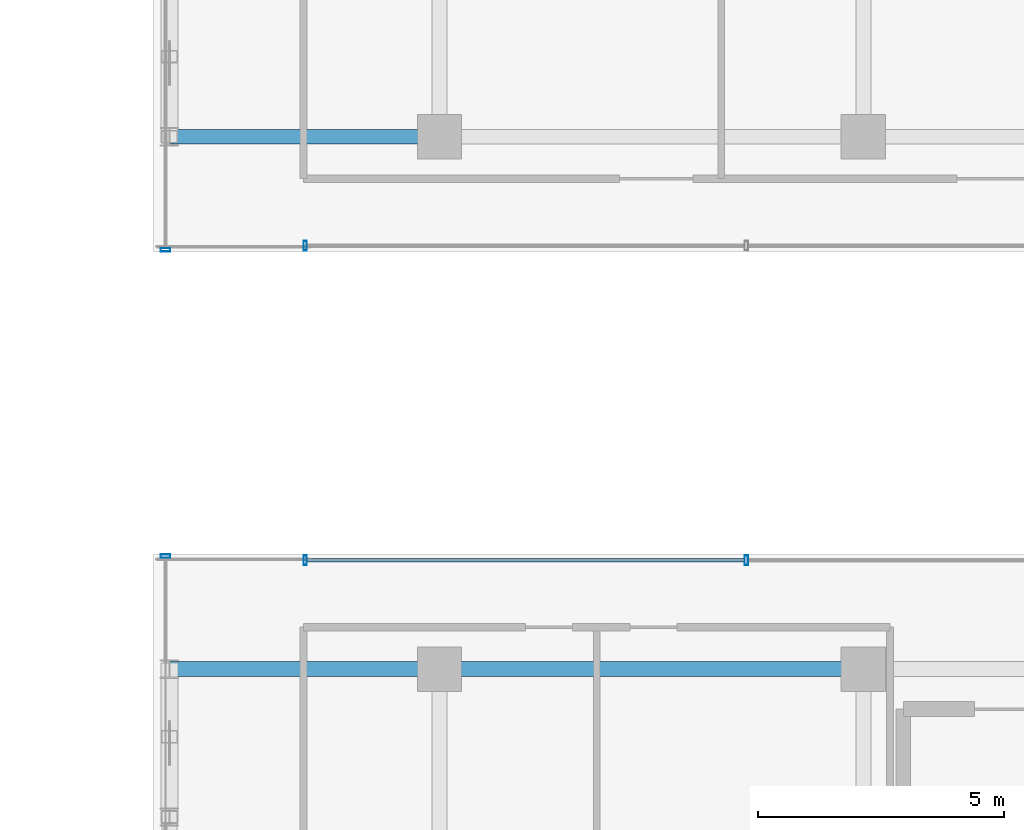
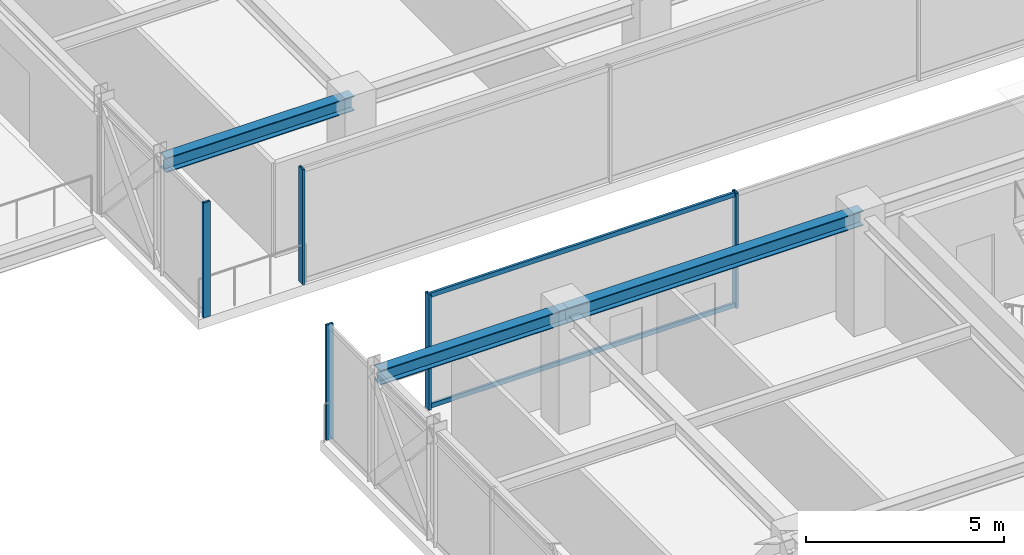
# One storey, part 10 of 40: 7 members, 3 beams, 4 elements without a shape of their own.
"""IFC4 building model written with IfcOpenShell, lengths in metres."""

from ifc_helpers import new_model, si_unit, direction, frame, origin, origin_2d, place, context, subcontext, project, spatial, hollow_rectangle, i_section, extrude, source, transform, mapped, material, material_profile, profile_set, type_object, element, aggregate, save


model = new_model("IFC4")

# Units and contexts
model_context = context("Model", 3, precision=1e-05, world=origin(), true_north=direction((0.0, 1.0)))
body_context = subcontext(model_context, "Body", "Model", "MODEL_VIEW")
ifc_project = project(units=[si_unit("LENGTHUNIT", "METRE"), si_unit("AREAUNIT", "SQUARE_METRE"), si_unit("VOLUMEUNIT", "CUBIC_METRE"), si_unit("PLANEANGLEUNIT", "RADIAN"), si_unit("MASSUNIT", "GRAM", prefix="KILO")], contexts=[model_context])

# Site, building, storey
site_placement = place(None, origin())
site = spatial("IfcSite", under=ifc_project, at=site_placement, CompositionType="ELEMENT")
building_placement = place(site_placement, origin())
building = spatial("IfcBuilding", under=site, at=building_placement, Name="Nahalor Promenade Grand Hotel", CompositionType="ELEMENT")
storey_placement = place(building_placement, frame((0.0, 0.0, 288.800048828125)))
storey = spatial("IfcBuildingStorey", under=building, at=storey_placement, Name="L74", CompositionType="ELEMENT", Elevation=288.800048828125)

# Beams
ifc_material_1 = material(Name="Steel S355JR", Category="steel")
ifc_material_profile_1 = material_profile(ifc_material_1, i_section(OverallWidth=0.3, OverallDepth=0.45, WebThickness=0.014, FlangeThickness=0.026, at=origin_2d()), Name="HEB 450")
ifc_profile_set_1 = profile_set([ifc_material_profile_1], Name="Steel S355JR")
beam_type = type_object("IfcBeamType", Name="Beam-Girder-HEB450", PredefinedType="BEAM", material=ifc_profile_set_1)
shared_shape_1 = source(origin(), body_context, "Body", "SweptSolid", [
    extrude(i_section(OverallWidth=0.3, OverallDepth=0.45, WebThickness=0.014, FlangeThickness=0.026, at=origin_2d()), origin(), (0.0, 0.0, 1.0), 8.60009765625),
])
beam_placement = place(storey_placement, frame((-17.0, -5.39990234375, 3.324951171875), z_axis=(1.0, 0.0, 0.0), x_axis=(0.0, 1.0, 0.0)))
element("IfcBeam", 1, at=beam_placement, inside=storey, type_object=beam_type, Name="BM-L74-GX-1-1", PredefinedType="BEAM", context=body_context, shape_type="MappedRepresentation", body=[
    mapped(shared_shape_1, transform((0.0, 0.0, 0.0), scale=1.0)),
])
shared_shape_2 = source(origin(), body_context, "Body", "SweptSolid", [
    extrude(i_section(OverallWidth=0.3, OverallDepth=0.45, WebThickness=0.014, FlangeThickness=0.026, at=origin_2d()), origin(), (0.0, 0.0, 1.0), 5.47998046875),
])
for number, where, z_axis, x_axis, name in (
    (2, (-22.47998046875, -5.39990234375, 3.324951171875), (1.0, 0.0, 0.0), (0.0, 1.0, 0.0), "BM-L74-GX-1-0"),
    (3, (-22.47998046875, 5.39990234375, 3.324951171875), (1.0, 0.0, 0.0), (0.0, 1.0, 0.0), "BM-L74-GX-2-0"),
):
    element("IfcBeam", number, at=place(storey_placement, frame(where, z_axis=z_axis, x_axis=x_axis)), inside=storey, type_object=beam_type, Name=name, PredefinedType="BEAM", context=body_context, shape_type="MappedRepresentation", body=[
        mapped(shared_shape_2, transform((0.0, 0.0, 0.0), scale=1.0)),
    ])

# Curtain wall, members
ifc_material_2 = material(Name="Anodised Bronze Aluminium EN AW-6063 T6", Category="aluminium")
curtain_wall_type = type_object("IfcCurtainWallType", Name="CW3 Elliptical-Void Collar Unitised Curtain Wall", PredefinedType="USERDEFINED", material=ifc_material_2)
curtain_wall_1_placement = place(storey_placement, origin())
curtain_wall_1 = element("IfcCurtainWall", 4, at=curtain_wall_1_placement, inside=storey, type_object=curtain_wall_type, Name="L74 Curtain Wall CW-L74-VOID-WS1", ObjectType="UNITISED_CURTAIN_WALL", PredefinedType="USERDEFINED")
ifc_material_profile_2 = material_profile(ifc_material_2, hollow_rectangle(XDim=0.07, YDim=0.14, WallThickness=0.004, at=origin_2d()), Name="CWT 70x140x4")
ifc_profile_set_2 = profile_set([ifc_material_profile_2], Name="Anodised Bronze Aluminium EN AW-6063 T6")
member_type_1 = type_object("IfcMemberType", Name="CWT3 Void Collar Transom 70x140", PredefinedType="USERDEFINED", material=ifc_profile_set_2)
shared_shape_3 = source(origin(), body_context, "Body", "SweptSolid", [
    extrude(hollow_rectangle(XDim=0.07, YDim=0.14, WallThickness=0.004, at=origin_2d()), origin(), (0.0, 0.0, 1.0), 8.881591796875),
])
member_1_placement = place(storey_placement, frame((-19.68994140625, -3.19091796875, 0.070068359375), z_axis=(1.0, 0.0, 0.0), x_axis=(0.0, 1.0, 0.0)))
member_1 = element("IfcMember", 5, at=member_1_placement, type_object=member_type_1, Name="CW-L74-VOID-WS1 Transom 0-0", ObjectType="TRANSOM", PredefinedType="USERDEFINED", context=body_context, shape_type="MappedRepresentation", body=[
    mapped(shared_shape_3, transform((0.0, 0.0, 0.0), scale=1.0)),
])
member_2_placement = place(storey_placement, frame((-19.68994140625, -3.19091796875, 3.47998046875), z_axis=(1.0, 0.0, 0.0), x_axis=(0.0, 1.0, 0.0)))
member_2 = element("IfcMember", 6, at=member_2_placement, type_object=member_type_1, Name="CW-L74-VOID-WS1 Transom 0-1", ObjectType="TRANSOM", PredefinedType="USERDEFINED", context=body_context, shape_type="MappedRepresentation", body=[
    mapped(shared_shape_3, transform((0.0, 0.0, 0.0), scale=1.0)),
])

# Curtain wall, member
curtain_wall_2_placement = place(storey_placement, origin())
curtain_wall_2 = element("IfcCurtainWall", 7, at=curtain_wall_2_placement, inside=storey, type_object=curtain_wall_type, Name="L74 Curtain Wall CW-L74-W-1", ObjectType="UNITISED_CURTAIN_WALL", PredefinedType="USERDEFINED")
ifc_material_profile_3 = material_profile(ifc_material_2, hollow_rectangle(XDim=0.07, YDim=0.2, WallThickness=0.005, at=origin_2d()), Name="CWM 70x200x5")
ifc_profile_set_3 = profile_set([ifc_material_profile_3], Name="Anodised Bronze Aluminium EN AW-6063 T6")
member_type_2 = type_object("IfcMemberType", Name="CWM3 Void Collar Mullion 70x200", PredefinedType="MULLION", material=ifc_profile_set_3)
shared_shape_4 = source(origin(), body_context, "Body", "SweptSolid", [
    extrude(hollow_rectangle(XDim=0.07, YDim=0.2, WallThickness=0.005, at=origin_2d()), origin(), (0.0, 0.0, 1.0), 3.550048828125),
])
member_3_placement = place(storey_placement, frame((-22.56005859375, -3.10595703125, 0.0), z_axis=(0.0, 0.0, 1.0), x_axis=(0.0, 1.0, 0.0)))
member_3 = element("IfcMember", 8, at=member_3_placement, type_object=member_type_2, Name="CW-L74-W-1 Mullion 2", PredefinedType="MULLION", context=body_context, shape_type="MappedRepresentation", body=[
    mapped(shared_shape_4, transform((0.0, 0.0, 0.0), scale=1.0)),
])
aggregate(curtain_wall_2, [member_3])

curtain_wall_3_placement = place(storey_placement, origin())
curtain_wall_3 = element("IfcCurtainWall", 9, at=curtain_wall_3_placement, inside=storey, type_object=curtain_wall_type, Name="L74 Curtain Wall CW-L74-W-2", ObjectType="UNITISED_CURTAIN_WALL", PredefinedType="USERDEFINED")
member_4_placement = place(storey_placement, frame((-22.56005859375, 3.10595703125, 0.0), z_axis=(0.0, 0.0, 1.0), x_axis=(0.0, 1.0, 0.0)))
member_4 = element("IfcMember", 10, at=member_4_placement, type_object=member_type_2, Name="CW-L74-W-2 Mullion 0", PredefinedType="MULLION", context=body_context, shape_type="MappedRepresentation", body=[
    mapped(shared_shape_4, transform((0.0, 0.0, 0.0), scale=1.0)),
])
aggregate(curtain_wall_3, [member_4])

# Member
member_5_placement = place(storey_placement, frame((-19.72509765625, -3.19091796875, 0.0), z_axis=(0.0, 0.0, 1.0), x_axis=(1.0, 0.0, 0.0)))
member_5 = element("IfcMember", 11, at=member_5_placement, type_object=member_type_2, Name="CW-L74-VOID-WS1 Mullion 0", PredefinedType="MULLION", context=body_context, shape_type="MappedRepresentation", body=[
    mapped(shared_shape_4, transform((0.0, 0.0, 0.0), scale=1.0)),
])

member_6_placement = place(storey_placement, frame((-10.7734375, -3.19091796875, 0.0), z_axis=(0.0, 0.0, 1.0), x_axis=(1.0, 0.0, 0.0)))
member_6 = element("IfcMember", 12, at=member_6_placement, type_object=member_type_2, Name="CW-L74-VOID-WS1 Mullion 1", PredefinedType="MULLION", context=body_context, shape_type="MappedRepresentation", body=[
    mapped(shared_shape_4, transform((0.0, 0.0, 0.0), scale=1.0)),
])

aggregate(curtain_wall_1, [member_5, member_6, member_1, member_2])

# Curtain wall, member
curtain_wall_4_placement = place(storey_placement, origin())
curtain_wall_4 = element("IfcCurtainWall", 13, at=curtain_wall_4_placement, inside=storey, type_object=curtain_wall_type, Name="L74 Curtain Wall CW-L74-VOID-WN1", ObjectType="UNITISED_CURTAIN_WALL", PredefinedType="USERDEFINED")
member_7_placement = place(storey_placement, frame((-19.72509765625, 3.19091796875, 0.0), z_axis=(0.0, 0.0, 1.0), x_axis=(1.0, 0.0, 0.0)))
member_7 = element("IfcMember", 14, at=member_7_placement, type_object=member_type_2, Name="CW-L74-VOID-WN1 Mullion 0", PredefinedType="MULLION", context=body_context, shape_type="MappedRepresentation", body=[
    mapped(shared_shape_4, transform((0.0, 0.0, 0.0), scale=1.0)),
])
aggregate(curtain_wall_4, [member_7])

save(model, "model.ifc")
